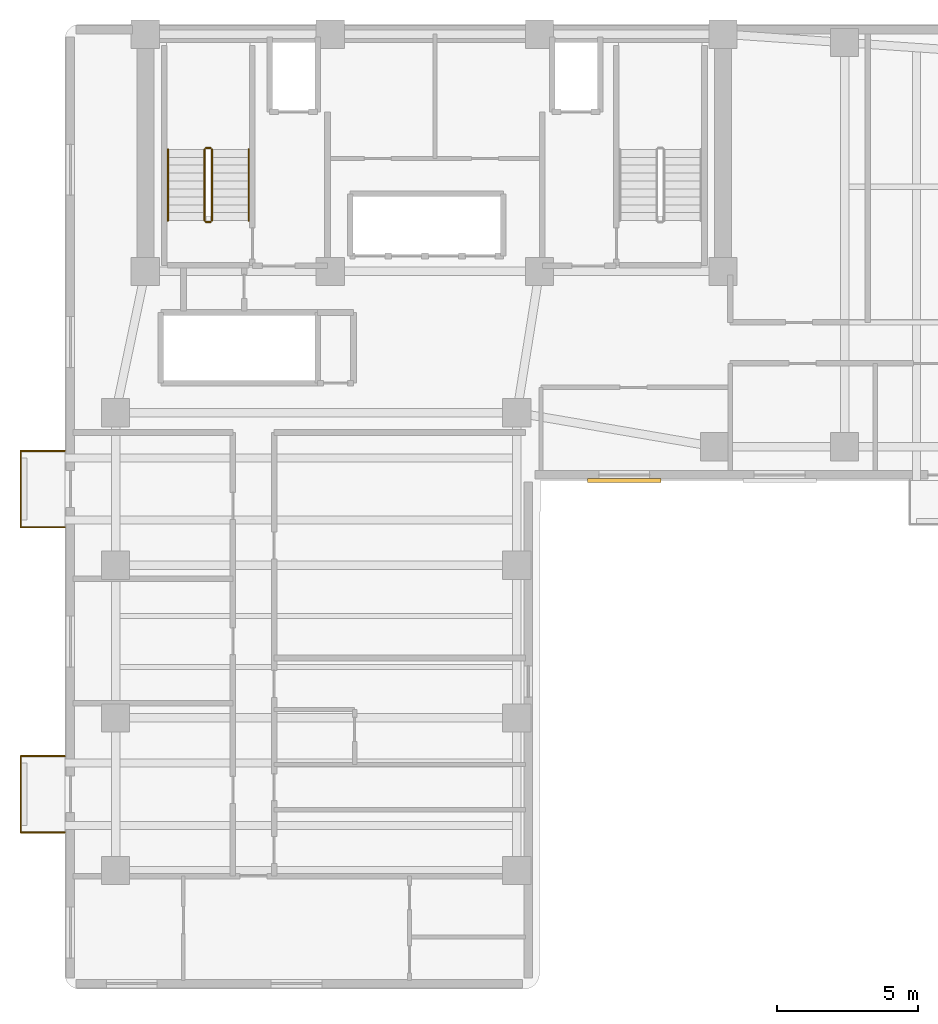
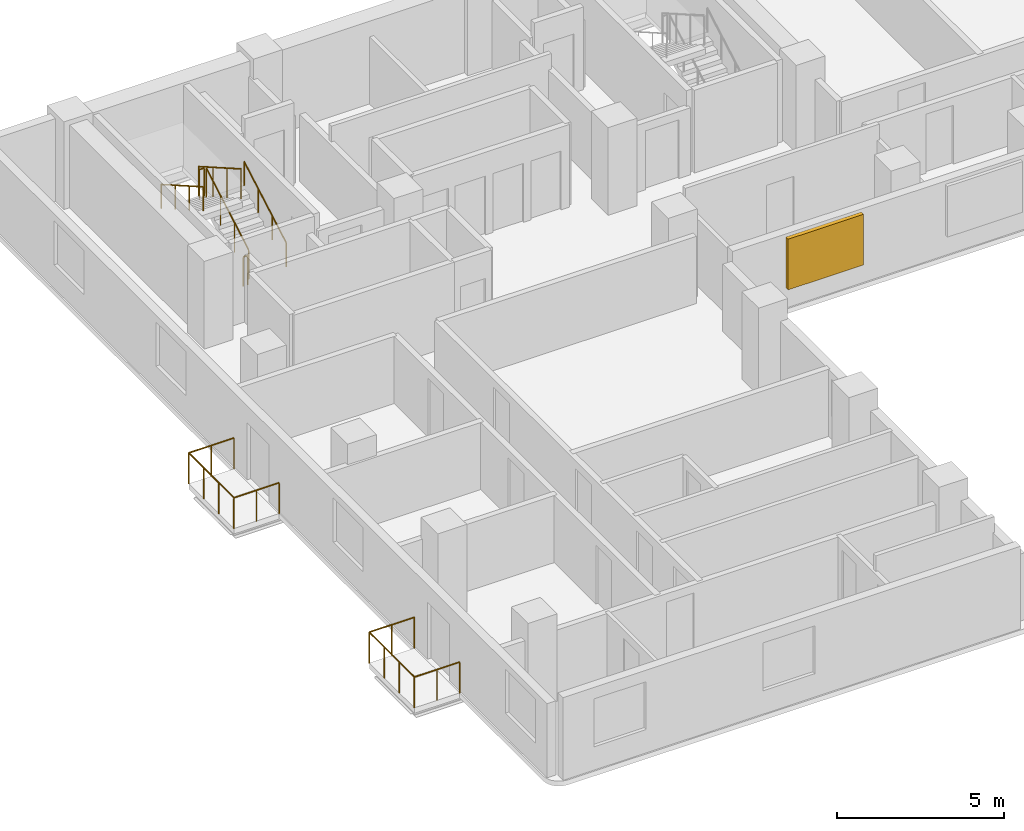
# One storey, part 6 of 7: 12 railings, 1 shading device.
"""IFC4 building model written with IfcOpenShell, lengths in metres."""

import ifcopenshell
import ifcopenshell.guid

model = None  # the IFC model being written
_history = None  # IfcOwnerHistory: only IFC2X3 demands one
_inside = {}  # id of a spatial element -> (the spatial element, [elements in it])
_under = {}  # id of a project, library or spatial element -> (it, [spatial elements below it])
_declared = {}  # id of a project -> (the project, [libraries it declares])
_typed = {}  # id of a type object -> (the type object, [elements of that type])
_made_of = {}  # id of a material, layer set ... -> (it, [elements and type objects made of it])


def new_model(schema):
    """Start an empty IFC model of exactly this schema.

    Asked for "IFC4X3", IfcOpenShell would pick the latest addendum, in which some entities
    have other attributes; the version numbers below select the first issue.
    IFC2X3 requires an IfcOwnerHistory on every rooted entity: one is made here for all.
    """
    global model, _history
    if schema == "IFC4X3":
        model = ifcopenshell.file(schema_version=(4, 3, 0, 0))
    else:
        model = ifcopenshell.file(schema=schema)
    _inside.clear()
    _under.clear()
    _declared.clear()
    _typed.clear()
    _made_of.clear()
    _history = None
    if model.schema == "IFC2X3":
        org = make("IfcOrganization", Name="unknown")
        user = make(
            "IfcPersonAndOrganization",
            ThePerson=make("IfcPerson", FamilyName="unknown"),
            TheOrganization=org,
        )
        app = make(
            "IfcApplication",
            ApplicationDeveloper=org,
            Version="unknown",
            ApplicationFullName="unknown",
            ApplicationIdentifier="unknown",
        )
        _history = make(
            "IfcOwnerHistory",
            OwningUser=user,
            OwningApplication=app,
            ChangeAction="ADDED",
            CreationDate=0,
        )
    return model


def make(cls, **values):
    """One entity of the class cls with the attributes given. An attribute that is None is left unset."""
    return model.create_entity(
        cls, **{name: value for name, value in values.items() if value is not None}
    )


def rooted(cls, **values):
    """An entity with a GlobalId (a new one), such as an element, a storey or a relation."""
    return make(cls, GlobalId=ifcopenshell.guid.new(), OwnerHistory=_history, **values)


def si_unit(unit_type, name, prefix=None):
    """IfcSIUnit, for example si_unit("LENGTHUNIT", "METRE", prefix="MILLI")."""
    return make("IfcSIUnit", UnitType=unit_type, Prefix=prefix, Name=name)


def assignment(units):
    """IfcUnitAssignment: the units of a project."""
    return None if units is None else make("IfcUnitAssignment", Units=units)


def point(xyz):
    """IfcCartesianPoint."""
    return None if xyz is None else make("IfcCartesianPoint", Coordinates=xyz)


def direction(xyz):
    """IfcDirection."""
    return None if xyz is None else make("IfcDirection", DirectionRatios=xyz)


def frame(location, z_axis=None, x_axis=None):
    """IfcAxis2Placement3D, a coordinate frame: its origin and axes. An axis left out is left unset."""
    return make(
        "IfcAxis2Placement3D",
        Location=point(location),
        Axis=direction(z_axis),
        RefDirection=direction(x_axis),
    )


def frame_2d(location, x_axis=None):
    """IfcAxis2Placement2D, a coordinate frame in the plane: its origin and x axis."""
    return make(
        "IfcAxis2Placement2D", Location=point(location), RefDirection=direction(x_axis)
    )


def origin():
    """The frame at (0, 0, 0) with its axes left unset."""
    return frame((0.0, 0.0, 0.0))


def origin_2d():
    """The frame at (0, 0) in the plane with its x axis left unset."""
    return frame_2d((0.0, 0.0))


def place(relative_to, where):
    """IfcLocalPlacement: puts the frame where relative to a parent placement (None: the world)."""
    return make(
        "IfcLocalPlacement", PlacementRelTo=relative_to, RelativePlacement=where
    )


def context(
    kind, dimensions, precision=None, world=None, true_north=None, identifier=None
):
    """IfcGeometricRepresentationContext, for example the 3D "Model" context."""
    return make(
        "IfcGeometricRepresentationContext",
        ContextIdentifier=identifier,
        ContextType=kind,
        CoordinateSpaceDimension=dimensions,
        Precision=precision,
        WorldCoordinateSystem=world,
        TrueNorth=true_north,
    )


def subcontext(parent, identifier, kind, view, scale=None):
    """IfcGeometricRepresentationSubContext, for example "Body" below "Model"."""
    return make(
        "IfcGeometricRepresentationSubContext",
        ContextIdentifier=identifier,
        ContextType=kind,
        ParentContext=parent,
        TargetScale=scale,
        TargetView=view,
    )


def project(units=None, contexts=None):
    """IfcProject with its units and contexts."""
    return rooted(
        "IfcProject",
        Name="project",
        RepresentationContexts=contexts,
        UnitsInContext=assignment(units),
    )


def spatial(cls, under=None, at=None, **own):
    """A site, building, storey or space (cls), placed at a placement, below another one or the project."""
    s = rooted(cls, ObjectPlacement=at, **own)
    if under is not None:
        _under.setdefault(under.id(), (under, []))[1].append(s)
    return s


def profile(cls, at=None, kind="AREA", **sizes):
    """A parametric profile (cls). Its sizes go by their IFC names, for example OverallWidth=200.0."""
    return make(cls, ProfileType=kind, Position=at, **sizes)


def rectangle(**sizes):
    """IfcRectangleProfileDef."""
    return profile("IfcRectangleProfileDef", **sizes)


def circle(**sizes):
    """IfcCircleProfileDef."""
    return profile("IfcCircleProfileDef", **sizes)


def extrude(swept, where, along, depth):
    """IfcExtrudedAreaSolid: the profile swept, set in the frame where, extruded along a direction by depth."""
    return make(
        "IfcExtrudedAreaSolid",
        SweptArea=swept,
        Position=where,
        ExtrudedDirection=direction(along),
        Depth=depth,
    )


def shape(context_of_items, identifier, shape_type, items):
    """IfcShapeRepresentation: the items that make up one representation, for example the "Body"."""
    return make(
        "IfcShapeRepresentation",
        ContextOfItems=context_of_items,
        RepresentationIdentifier=identifier,
        RepresentationType=shape_type,
        Items=items,
    )


def material(Name=None, Category=None):
    """IfcMaterial."""
    return make("IfcMaterial", Name=Name, Category=Category)


def layer(
    of_material, thickness, ventilated=None, Name=None, Category=None, Priority=None
):
    """IfcMaterialLayer: one layer of a wall or slab, of a material (None: an air gap)."""
    return make(
        "IfcMaterialLayer",
        Material=of_material,
        LayerThickness=thickness,
        IsVentilated=ventilated,
        Name=Name,
        Category=Category,
        Priority=Priority,
    )


def layer_set(layers, Name=None):
    """IfcMaterialLayerSet."""
    return make("IfcMaterialLayerSet", MaterialLayers=layers, LayerSetName=Name)


def made_of(thing, what):
    """Note that an element or type object is made of a material, layer set ...; save() writes the relation."""
    if what is not None:
        _made_of.setdefault(what.id(), (what, []))[1].append(thing)
    return thing


def type_object(cls, material=None, **own):
    """A type object (cls), such as IfcWallType, which elements share."""
    return made_of(rooted(cls, **own), material)


def element(
    cls,
    number,
    at=None,
    inside=None,
    cuts=None,
    type_object=None,
    material=None,
    context=None,
    identifier="Body",
    shape_type=None,
    held_by="IfcProductDefinitionShape",
    body=None,
    shapes=None,
    **own,
):
    """One element of the class cls, such as IfcWall. Its Tag is "e" and its number.

    at: its placement. inside: the storey or other place that contains it. cuts: it is an
    opening in that element (IfcRelVoidsElement). A single representation is given by context,
    identifier, shape_type and body (its items); several are given by shapes. held_by: the class
    of the entity that holds the representations. save() writes the other relations.
    """
    e = rooted(cls, Tag="e%d" % number, ObjectPlacement=at, **own)
    if body is not None:
        shapes = [shape(context, identifier, shape_type, body)]
    if shapes is not None:
        e.Representation = make(held_by, Representations=shapes)
    if inside is not None:
        _inside.setdefault(inside.id(), (inside, []))[1].append(e)
    if cuts is not None:
        rooted(
            "IfcRelVoidsElement", RelatingBuildingElement=cuts, RelatedOpeningElement=e
        )
    if type_object is not None:
        _typed.setdefault(type_object.id(), (type_object, []))[1].append(e)
    return made_of(e, material)


def aggregate(whole, parts):
    """IfcRelAggregates: a whole, such as a stair, and the parts it consists of."""
    return rooted("IfcRelAggregates", RelatingObject=whole, RelatedObjects=parts)


def save(model, path):
    """Write the relations noted so far, then the file.

    IfcRelAggregates (storeys below a building ...), IfcRelContainedInSpatialStructure (elements
    in a storey), IfcRelDefinesByType, IfcRelAssociatesMaterial and IfcRelDeclares: one each for
    every whole, place, type object, material and project.
    """
    for whole, parts in _under.values():
        aggregate(whole, parts)
    for where, things in _inside.values():
        rooted(
            "IfcRelContainedInSpatialStructure",
            RelatedElements=things,
            RelatingStructure=where,
        )
    for kind, things in _typed.values():
        rooted("IfcRelDefinesByType", RelatedObjects=things, RelatingType=kind)
    for what, things in _made_of.values():
        rooted("IfcRelAssociatesMaterial", RelatedObjects=things, RelatingMaterial=what)
    for by, libraries in _declared.values():
        rooted("IfcRelDeclares", RelatingContext=by, RelatedDefinitions=libraries)
    model.write(path)


model = new_model("IFC4")

# Units and contexts
model_context = context("Model", 3, precision=1e-05, world=origin(), true_north=direction((0.0, 1.0)))
body_context = subcontext(model_context, "Body", "Model", "MODEL_VIEW")
ifc_project = project(units=[si_unit("LENGTHUNIT", "METRE"), si_unit("AREAUNIT", "SQUARE_METRE"), si_unit("VOLUMEUNIT", "CUBIC_METRE"), si_unit("PLANEANGLEUNIT", "RADIAN"), si_unit("MASSUNIT", "GRAM", prefix="KILO")], contexts=[model_context])

# Site, building, storey
site_placement = place(None, origin())
site = spatial("IfcSite", under=ifc_project, at=site_placement, CompositionType="ELEMENT")
building_placement = place(site_placement, origin())
building = spatial("IfcBuilding", under=site, at=building_placement, Name="Kuzgunbayir Cultural Tower", CompositionType="ELEMENT")
storey_placement = place(building_placement, frame((0.0, 0.0, 129.800048828125)))
storey = spatial("IfcBuildingStorey", under=building, at=storey_placement, Name="L37", CompositionType="ELEMENT", Elevation=129.800048828125)

# Railings
ifc_material_1 = material(Name="Laminated Glass and Stainless Steel", Category="steel")
ifc_layer_1 = layer(ifc_material_1, 0.080078125)
ifc_layer_set_1 = layer_set([ifc_layer_1], Name="Laminated Glass and Stainless Steel")
railing_type_1 = type_object("IfcRailingType", Name="RLG-BAL-115", PredefinedType="BALUSTRADE", material=ifc_layer_set_1)
railing_1_placement = place(storey_placement, frame((3.60009765625, 13.949951171875, 0.0)))
element("IfcRailing", 1, at=railing_1_placement, inside=storey, type_object=railing_type_1, Name="L37 Balcony Guard BAL-L37-WA1 Segment 1", PredefinedType="BALUSTRADE", context=body_context, shape_type="SweptSolid", body=[
    extrude(circle(Radius=0.02392578125, at=origin_2d()), frame((0.0, 0.0, 1.1259765625), z_axis=(-1.0, 0.0, 0.0), x_axis=(0.0, -1.0, 0.0)), (0.0, 0.0, 1.0), 1.56005859375),
    extrude(circle(Radius=0.02099609375, at=origin_2d()), origin(), (0.0, 0.0, 1.0), 1.101806640625),
    extrude(circle(Radius=0.02099609375, at=origin_2d()), frame((-0.780029296875, 0.0, 0.0)), (0.0, 0.0, 1.0), 1.101806640625),
    extrude(circle(Radius=0.02099609375, at=origin_2d()), frame((-1.56005859375, 0.0, 0.0)), (0.0, 0.0, 1.0), 1.101806640625),
])
railing_2_placement = place(storey_placement, frame((2.0400390625, 13.949951171875, 0.0)))
element("IfcRailing", 2, at=railing_2_placement, inside=storey, type_object=railing_type_1, Name="L37 Balcony Guard BAL-L37-WA1 Segment 2", PredefinedType="BALUSTRADE", context=body_context, shape_type="SweptSolid", body=[
    extrude(circle(Radius=0.02392578125, at=origin_2d()), frame((0.0, 0.0, 1.1259765625), z_axis=(0.0, 1.0, 0.0), x_axis=(-1.0, 0.0, 0.0)), (0.0, 0.0, 1.0), 2.699951171875),
    extrude(circle(Radius=0.02099609375, at=origin_2d()), origin(), (0.0, 0.0, 1.0), 1.101806640625),
    extrude(circle(Radius=0.02099609375, at=origin_2d()), frame((0.0, 0.89990234375, 0.0)), (0.0, 0.0, 1.0), 1.101806640625),
    extrude(circle(Radius=0.02099609375, at=origin_2d()), frame((0.0, 1.800048828125, 0.0)), (0.0, 0.0, 1.0), 1.101806640625),
    extrude(circle(Radius=0.02099609375, at=origin_2d()), frame((0.0, 2.699951171875, 0.0)), (0.0, 0.0, 1.0), 1.101806640625),
])
railing_3_placement = place(storey_placement, frame((2.0400390625, 16.64990234375, 0.0)))
element("IfcRailing", 3, at=railing_3_placement, inside=storey, type_object=railing_type_1, Name="L37 Balcony Guard BAL-L37-WA1 Segment 3", PredefinedType="BALUSTRADE", context=body_context, shape_type="SweptSolid", body=[
    extrude(circle(Radius=0.02392578125, at=origin_2d()), frame((0.0, 0.0, 1.1259765625), z_axis=(1.0, 0.0, 0.0), x_axis=(0.0, 1.0, 0.0)), (0.0, 0.0, 1.0), 1.56005859375),
    extrude(circle(Radius=0.02099609375, at=origin_2d()), origin(), (0.0, 0.0, 1.0), 1.101806640625),
    extrude(circle(Radius=0.02099609375, at=origin_2d()), frame((0.780029296875, 0.0, 0.0)), (0.0, 0.0, 1.0), 1.101806640625),
    extrude(circle(Radius=0.02099609375, at=origin_2d()), frame((1.56005859375, 0.0, 0.0)), (0.0, 0.0, 1.0), 1.101806640625),
])
railing_4_placement = place(storey_placement, frame((3.60009765625, 24.75, 0.0)))
element("IfcRailing", 4, at=railing_4_placement, inside=storey, type_object=railing_type_1, Name="L37 Balcony Guard BAL-L37-WA3 Segment 1", PredefinedType="BALUSTRADE", context=body_context, shape_type="SweptSolid", body=[
    extrude(circle(Radius=0.02392578125, at=origin_2d()), frame((0.0, 0.0, 1.1259765625), z_axis=(-1.0, 0.0, 0.0), x_axis=(0.0, -1.0, 0.0)), (0.0, 0.0, 1.0), 1.56005859375),
    extrude(circle(Radius=0.02099609375, at=origin_2d()), origin(), (0.0, 0.0, 1.0), 1.101806640625),
    extrude(circle(Radius=0.02099609375, at=origin_2d()), frame((-0.780029296875, 0.0, 0.0)), (0.0, 0.0, 1.0), 1.101806640625),
    extrude(circle(Radius=0.02099609375, at=origin_2d()), frame((-1.56005859375, 0.0, 0.0)), (0.0, 0.0, 1.0), 1.101806640625),
])
railing_5_placement = place(storey_placement, frame((2.0400390625, 24.75, 0.0)))
element("IfcRailing", 5, at=railing_5_placement, inside=storey, type_object=railing_type_1, Name="L37 Balcony Guard BAL-L37-WA3 Segment 2", PredefinedType="BALUSTRADE", context=body_context, shape_type="SweptSolid", body=[
    extrude(circle(Radius=0.02392578125, at=origin_2d()), frame((0.0, 0.0, 1.1259765625), z_axis=(0.0, 1.0, 0.0), x_axis=(-1.0, 0.0, 0.0)), (0.0, 0.0, 1.0), 2.699951171875),
    extrude(circle(Radius=0.02099609375, at=origin_2d()), origin(), (0.0, 0.0, 1.0), 1.101806640625),
    extrude(circle(Radius=0.02099609375, at=origin_2d()), frame((0.0, 0.89990234375, 0.0)), (0.0, 0.0, 1.0), 1.101806640625),
    extrude(circle(Radius=0.02099609375, at=origin_2d()), frame((0.0, 1.800048828125, 0.0)), (0.0, 0.0, 1.0), 1.101806640625),
    extrude(circle(Radius=0.02099609375, at=origin_2d()), frame((0.0, 2.699951171875, 0.0)), (0.0, 0.0, 1.0), 1.101806640625),
])
railing_6_placement = place(storey_placement, frame((2.0400390625, 27.449951171875, 0.0)))
element("IfcRailing", 6, at=railing_6_placement, inside=storey, type_object=railing_type_1, Name="L37 Balcony Guard BAL-L37-WA3 Segment 3", PredefinedType="BALUSTRADE", context=body_context, shape_type="SweptSolid", body=[
    extrude(circle(Radius=0.02392578125, at=origin_2d()), frame((0.0, 0.0, 1.1259765625), z_axis=(1.0, 0.0, 0.0), x_axis=(0.0, 1.0, 0.0)), (0.0, 0.0, 1.0), 1.56005859375),
    extrude(circle(Radius=0.02099609375, at=origin_2d()), origin(), (0.0, 0.0, 1.0), 1.101806640625),
    extrude(circle(Radius=0.02099609375, at=origin_2d()), frame((0.780029296875, 0.0, 0.0)), (0.0, 0.0, 1.0), 1.101806640625),
    extrude(circle(Radius=0.02099609375, at=origin_2d()), frame((1.56005859375, 0.0, 0.0)), (0.0, 0.0, 1.0), 1.101806640625),
])
ifc_material_2 = material(Name="Brushed Stainless Steel", Category="steel")
ifc_layer_2 = layer(ifc_material_2, 0.050048828125)
ifc_layer_set_2 = layer_set([ifc_layer_2], Name="Brushed Stainless Steel")
railing_type_2 = type_object("IfcRailingType", Name="RLG-STAIR-HANDRAIL", PredefinedType="HANDRAIL", material=ifc_layer_set_2)
railing_7_placement = place(storey_placement, frame((10.110107421875, 35.60009765625, 0.159912109375)))
element("IfcRailing", 7, at=railing_7_placement, inside=storey, type_object=railing_type_2, Name="L37 ST-1 stair handrail 1", PredefinedType="HANDRAIL", context=body_context, shape_type="SweptSolid", body=[
    extrude(circle(Radius=0.02392578125, at=origin_2d()), frame((0.0, 0.0, 0.8759765625), z_axis=(0.0, 0.868253494771, 0.496120820787), x_axis=(-1.0, 0.0, 0.0)), (0.0, 0.0, 1.0), 2.90234375),
    extrude(circle(Radius=0.02099609375, at=origin_2d()), origin(), (0.0, 0.0, 1.0), 0.851806640625),
    extrude(circle(Radius=0.02099609375, at=origin_2d()), frame((0.0, 0.840087890625, 0.47998046875)), (0.0, 0.0, 1.0), 0.851806640625),
    extrude(circle(Radius=0.02099609375, at=origin_2d()), frame((0.0, 1.679931640625, 0.9599609375)), (0.0, 0.0, 1.0), 0.851806640625),
    extrude(circle(Radius=0.02099609375, at=origin_2d()), frame((0.0, 2.52001953125, 1.43994140625)), (0.0, 0.0, 1.0), 0.851806640625),
])
railing_8_placement = place(storey_placement, frame((7.25, 38.1201171875, 1.760009765625)))
element("IfcRailing", 8, at=railing_8_placement, inside=storey, type_object=railing_type_2, Name="L37 ST-1 stair handrail 2", PredefinedType="HANDRAIL", context=body_context, shape_type="SweptSolid", body=[
    extrude(circle(Radius=0.02392578125, at=origin_2d()), frame((0.0, 0.0, 0.8759765625), z_axis=(0.0, -0.868253494771, 0.496120820787), x_axis=(1.0, 0.0, 0.0)), (0.0, 0.0, 1.0), 2.90234375),
    extrude(circle(Radius=0.02099609375, at=origin_2d()), origin(), (0.0, 0.0, 1.0), 0.851806640625),
    extrude(circle(Radius=0.02099609375, at=origin_2d()), frame((0.0, -0.840087890625, 0.47998046875)), (0.0, 0.0, 1.0), 0.851806640625),
    extrude(circle(Radius=0.02099609375, at=origin_2d()), frame((0.0, -1.679931640625, 0.9599609375)), (0.0, 0.0, 1.0), 0.851806640625),
    extrude(circle(Radius=0.02099609375, at=origin_2d()), frame((0.0, -2.52001953125, 1.43994140625)), (0.0, 0.0, 1.0), 0.851806640625),
])
ifc_material_3 = material(Name="Painted Steel Balustrade", Category="steel")
ifc_layer_3 = layer(ifc_material_3, 0.06005859375)
ifc_layer_set_3 = layer_set([ifc_layer_3], Name="Painted Steel Balustrade")
railing_type_3 = type_object("IfcRailingType", Name="RLG-WELL-GUARD", PredefinedType="GUARDRAIL", material=ifc_layer_set_3)
railing_9_placement = place(storey_placement, frame((8.81005859375, 35.60009765625, 0.159912109375)))
element("IfcRailing", 9, at=railing_9_placement, inside=storey, type_object=railing_type_3, Name="L37 ST-1 stair guard 1", PredefinedType="GUARDRAIL", context=body_context, shape_type="SweptSolid", body=[
    extrude(circle(Radius=0.02392578125, at=origin_2d()), frame((0.0, 0.0, 1.076171875), z_axis=(0.0, 0.868253494771, 0.496120820787), x_axis=(-1.0, 0.0, 0.0)), (0.0, 0.0, 1.0), 2.90234375),
    extrude(circle(Radius=0.02099609375, at=origin_2d()), origin(), (0.0, 0.0, 1.0), 1.052001953125),
    extrude(circle(Radius=0.02099609375, at=origin_2d()), frame((0.0, 0.840087890625, 0.47998046875)), (0.0, 0.0, 1.0), 1.052001953125),
    extrude(circle(Radius=0.02099609375, at=origin_2d()), frame((0.0, 1.679931640625, 0.9599609375)), (0.0, 0.0, 1.0), 1.052001953125),
    extrude(circle(Radius=0.02099609375, at=origin_2d()), frame((0.0, 2.52001953125, 1.43994140625)), (0.0, 0.0, 1.0), 1.052001953125),
])
railing_10_placement = place(storey_placement, frame((8.760009765625, 38.169921875, 1.599853515625)))
element("IfcRailing", 10, at=railing_10_placement, inside=storey, type_object=railing_type_3, Name="L37 ST-1 stair guard 2", PredefinedType="GUARDRAIL", context=body_context, shape_type="SweptSolid", body=[
    extrude(circle(Radius=0.02392578125, at=origin_2d()), frame((0.0, 0.0, 1.076171875), z_axis=(-1.0, 0.0, 0.0), x_axis=(0.0, -1.0, 0.0)), (0.0, 0.0, 1.0), 0.159912109375),
    extrude(circle(Radius=0.02099609375, at=origin_2d()), origin(), (0.0, 0.0, 1.0), 1.052001953125),
    extrude(circle(Radius=0.02099609375, at=origin_2d()), frame((-0.159912109375, 0.0, 0.0)), (0.0, 0.0, 1.0), 1.052001953125),
])
railing_11_placement = place(storey_placement, frame((8.550048828125, 38.1201171875, 1.760009765625)))
element("IfcRailing", 11, at=railing_11_placement, inside=storey, type_object=railing_type_3, Name="L37 ST-1 stair guard 3", PredefinedType="GUARDRAIL", context=body_context, shape_type="SweptSolid", body=[
    extrude(circle(Radius=0.02392578125, at=origin_2d()), frame((0.0, 0.0, 1.076171875), z_axis=(0.0, -0.868253494771, 0.496120820787), x_axis=(1.0, 0.0, 0.0)), (0.0, 0.0, 1.0), 2.90234375),
    extrude(circle(Radius=0.02099609375, at=origin_2d()), origin(), (0.0, 0.0, 1.0), 1.052001953125),
    extrude(circle(Radius=0.02099609375, at=origin_2d()), frame((0.0, -0.840087890625, 0.47998046875)), (0.0, 0.0, 1.0), 1.052001953125),
    extrude(circle(Radius=0.02099609375, at=origin_2d()), frame((0.0, -1.679931640625, 0.9599609375)), (0.0, 0.0, 1.0), 1.052001953125),
    extrude(circle(Radius=0.02099609375, at=origin_2d()), frame((0.0, -2.52001953125, 1.43994140625)), (0.0, 0.0, 1.0), 1.052001953125),
])
railing_12_placement = place(storey_placement, frame((8.760009765625, 35.550048828125, 0.0)))
element("IfcRailing", 12, at=railing_12_placement, inside=storey, type_object=railing_type_3, Name="L37 ST-1 stair guard 4", PredefinedType="GUARDRAIL", context=body_context, shape_type="SweptSolid", body=[
    extrude(circle(Radius=0.02392578125, at=origin_2d()), frame((0.0, 0.0, 1.076171875), z_axis=(-1.0, 0.0, 0.0), x_axis=(0.0, -1.0, 0.0)), (0.0, 0.0, 1.0), 0.159912109375),
    extrude(circle(Radius=0.02099609375, at=origin_2d()), origin(), (0.0, 0.0, 1.0), 1.052001953125),
    extrude(circle(Radius=0.02099609375, at=origin_2d()), frame((-0.159912109375, 0.0, 0.0)), (0.0, 0.0, 1.0), 1.052001953125),
])

# Shading device
ifc_material_4 = material(Name="Perforated Bronze-Anodised Aluminium", Category="aluminium")
shading_device_type = type_object("IfcShadingDeviceType", Name="SHD-SOLAR-BRONZE", PredefinedType="JALOUSIE", material=ifc_material_4)
shading_device_placement = place(storey_placement, frame((23.39990234375, 26.39990234375, 0.73486328125), z_axis=(0.0, 0.0, 1.0), x_axis=(1.0, 0.0, 0.0)))
element("IfcShadingDevice", 13, at=shading_device_placement, inside=storey, type_object=shading_device_type, Name="L37 Solar Screen WBS10", PredefinedType="JALOUSIE", context=body_context, shape_type="SweptSolid", body=[
    extrude(rectangle(XDim=2.60009765625, YDim=0.139892578125, at=origin_2d()), origin(), (0.0, 0.0, 1.0), 1.85009765625),
])

save(model, "model.ifc")
